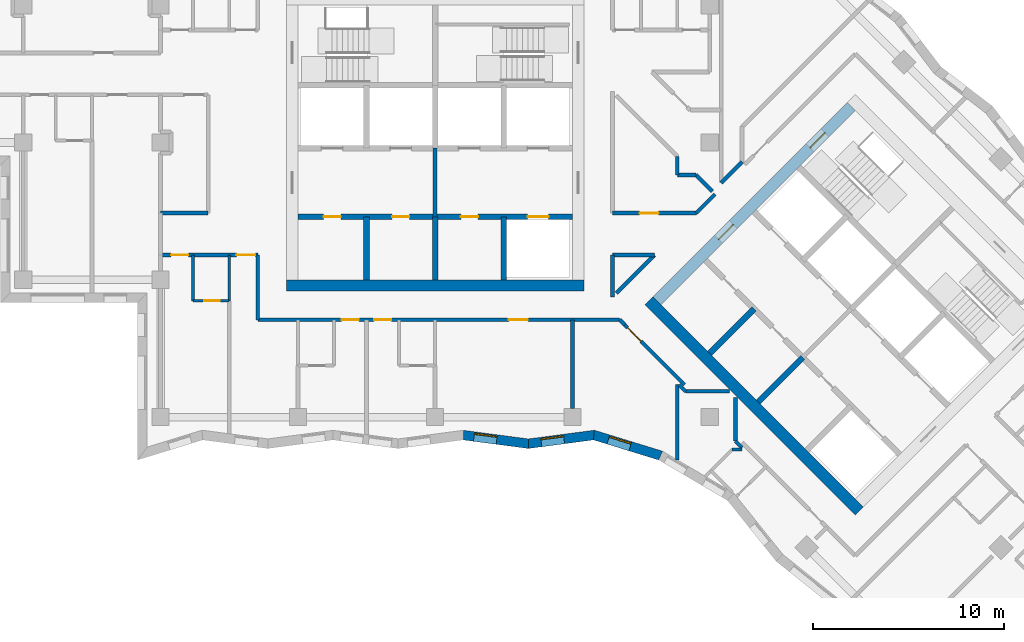
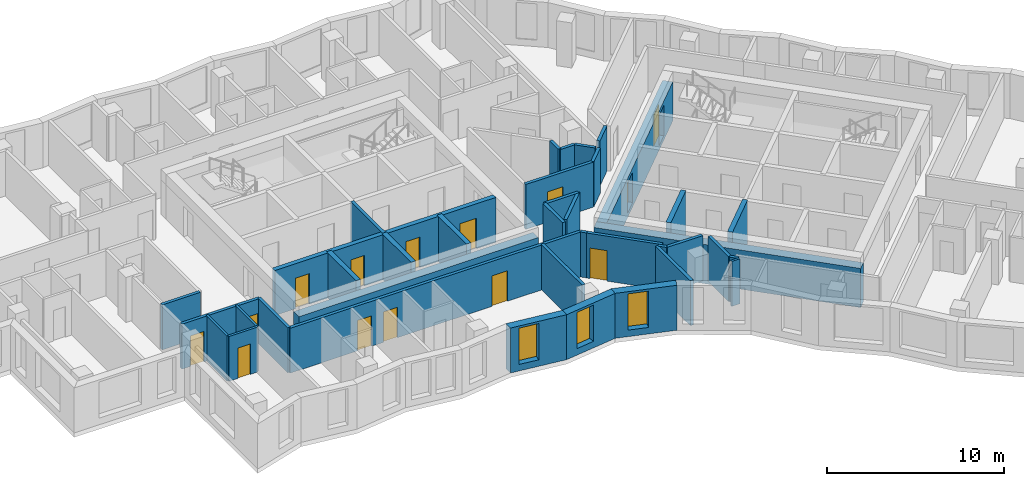
# One storey, part 3 of 12: 38 walls, 14 doors, 3 windows, 17 openings.
"""IFC4 building model written with IfcOpenShell, lengths in metres."""

from ifc_helpers import new_model, si_unit, direction, frame, frame_2d, origin, place, context, subcontext, project, spatial, polyline, rectangle, outline, extrude, material, layer, layer_set, type_object, element, fill, save


model = new_model("IFC4")

# Units and contexts
model_context = context("Model", 3, precision=1e-05, world=origin(), true_north=direction((0.0, 1.0)))
body_context = subcontext(model_context, "Body", "Model", "MODEL_VIEW")
ifc_project = project(units=[si_unit("LENGTHUNIT", "METRE"), si_unit("AREAUNIT", "SQUARE_METRE"), si_unit("VOLUMEUNIT", "CUBIC_METRE"), si_unit("PLANEANGLEUNIT", "RADIAN"), si_unit("MASSUNIT", "GRAM", prefix="KILO")], contexts=[model_context])

# Site, building, storey
site_placement = place(None, origin())
site = spatial("IfcSite", under=ifc_project, at=site_placement, CompositionType="ELEMENT")
building_placement = place(site_placement, origin())
building = spatial("IfcBuilding", under=site, at=building_placement, Name="Windrow Commons", CompositionType="ELEMENT")
storey_placement = place(building_placement, frame((0.0, 0.0, 152.4)))
storey = spatial("IfcBuildingStorey", under=building, at=storey_placement, Name="L41", CompositionType="ELEMENT", Elevation=152.4)

# Wall, opening, window
ifc_material_1 = material(Name="Brick masonry, red clay brick", Category="masonry")
ifc_layer_1 = layer(ifc_material_1, 0.5)
ifc_layer_set_1 = layer_set([ifc_layer_1], Name="Brick facade wall 500")
wall_type_1 = type_object("IfcWallType", Name="Brick facade wall 500", PredefinedType="SOLIDWALL", material=ifc_layer_set_1)
wall_1_placement = place(storey_placement, frame((66.2754, 42.2522, 0.0), z_axis=(0.0, 0.0, 1.0), x_axis=(0.9913919321, -0.1309276022, 0.0)))
wall_1 = element("IfcWall", 1, at=wall_1_placement, inside=storey, type_object=wall_type_1, Name="Brick facade wall L41 47", PredefinedType="SOLIDWALL", context=body_context, shape_type="SweptSolid", body=[
    extrude(outline(polyline([(0.033, -0.25), (3.4777, -0.25), (3.4117, 0.25), (-0.033, 0.25), (0.033, -0.25)])), origin(), (0.0, 0.0, 1.0), 3.1),
])
opening_1_placement = place(wall_1_placement, frame((0.5715, 0.0, 0.45)))
opening_1 = element("IfcOpeningElement", 2, at=opening_1_placement, cuts=wall_1, Name="Opening W7E", PredefinedType="OPENING", context=body_context, shape_type="SweptSolid", body=[
    extrude(rectangle(XDim=1.2, YDim=2.5, at=frame_2d((0.6, 1.25))), frame((0.0, 0.26, 0.0), z_axis=(0.0, -1.0, 0.0), x_axis=(1.0, 0.0, 0.0)), (0.0, 0.0, 1.0), 0.52),
])
ifc_material_2 = material(Name="Clear float glass in anodised aluminium frame", Category="aluminium")
window_type = type_object("IfcWindowType", Name="Window W7 notch 1200x2500", PartitioningType="SINGLE_PANEL", PredefinedType="WINDOW", material=ifc_material_2)
window_1_placement = place(opening_1_placement, origin())
window_1 = element("IfcWindow", 3, at=window_1_placement, inside=storey, type_object=window_type, Name="Window L41 47.1", OverallHeight=2.5, OverallWidth=1.2, PartitioningType="SINGLE_PANEL", PredefinedType="WINDOW", context=body_context, shape_type="SweptSolid", body=[
    extrude(rectangle(XDim=1.2, YDim=2.5, at=frame_2d((0.6, 1.25))), frame((0.0, 0.18, 0.0), z_axis=(0.0, -1.0, 0.0), x_axis=(1.0, 0.0, 0.0)), (0.0, 0.0, 1.0), 0.06),
])
fill(opening_1, window_1)

wall_2_placement = place(storey_placement, frame((69.6904, 41.8012, 0.0), z_axis=(0.0, 0.0, 1.0), x_axis=(0.9913934068, 0.1309164348, 0.0)))
wall_2 = element("IfcWall", 4, at=wall_2_placement, inside=storey, type_object=wall_type_1, Name="Brick facade wall L41 48", PredefinedType="SOLIDWALL", context=body_context, shape_type="SweptSolid", body=[
    extrude(outline(polyline([(-0.033, -0.25), (3.4117, -0.25), (3.5209, 0.25), (0.033, 0.25), (-0.033, -0.25)])), origin(), (0.0, 0.0, 1.0), 3.1),
])
opening_2_placement = place(wall_2_placement, frame((0.6813, 0.0, 0.45)))
opening_2 = element("IfcOpeningElement", 5, at=opening_2_placement, cuts=wall_2, Name="Opening W7E", PredefinedType="OPENING", context=body_context, shape_type="SweptSolid", body=[
    extrude(rectangle(XDim=1.2, YDim=2.5, at=frame_2d((0.6, 1.25))), frame((0.0, 0.26, 0.0), z_axis=(0.0, -1.0, 0.0), x_axis=(1.0, 0.0, 0.0)), (0.0, 0.0, 1.0), 0.52),
])
window_2_placement = place(opening_2_placement, origin())
window_2 = element("IfcWindow", 6, at=window_2_placement, inside=storey, type_object=window_type, Name="Window L41 48.1", OverallHeight=2.5, OverallWidth=1.2, PartitioningType="SINGLE_PANEL", PredefinedType="WINDOW", context=body_context, shape_type="SweptSolid", body=[
    extrude(rectangle(XDim=1.2, YDim=2.5, at=frame_2d((0.6, 1.25))), frame((0.0, 0.18, 0.0), z_axis=(0.0, -1.0, 0.0), x_axis=(1.0, 0.0, 0.0)), (0.0, 0.0, 1.0), 0.06),
])
fill(opening_2, window_2)

wall_3_placement = place(storey_placement, frame((73.1269, 42.255, 0.0), z_axis=(0.0, 0.0, 1.0), x_axis=(0.9557594957, -0.2941492588, 0.0)))
wall_3 = element("IfcWall", 7, at=wall_3_placement, inside=storey, type_object=wall_type_1, Name="Brick facade wall L41 49", PredefinedType="SOLIDWALL", context=body_context, shape_type="SweptSolid", body=[
    extrude(outline(polyline([(0.0546, -0.25), (3.6277, -0.25), (3.6863, 0.25), (-0.0546, 0.25), (0.0546, -0.25)])), origin(), (0.0, 0.0, 1.0), 3.1),
])
opening_3_placement = place(wall_3_placement, frame((0.7938, 0.0, 0.45)))
opening_3 = element("IfcOpeningElement", 8, at=opening_3_placement, cuts=wall_3, Name="Opening W7E", PredefinedType="OPENING", context=body_context, shape_type="SweptSolid", body=[
    extrude(rectangle(XDim=1.2, YDim=2.5, at=frame_2d((0.6, 1.25))), frame((0.0, 0.26, 0.0), z_axis=(0.0, -1.0, 0.0), x_axis=(1.0, 0.0, 0.0)), (0.0, 0.0, 1.0), 0.52),
])
window_3_placement = place(opening_3_placement, origin())
window_3 = element("IfcWindow", 9, at=window_3_placement, inside=storey, type_object=window_type, Name="Window L41 49.1", OverallHeight=2.5, OverallWidth=1.2, PartitioningType="SINGLE_PANEL", PredefinedType="WINDOW", context=body_context, shape_type="SweptSolid", body=[
    extrude(rectangle(XDim=1.2, YDim=2.5, at=frame_2d((0.6, 1.25))), frame((0.0, 0.18, 0.0), z_axis=(0.0, -1.0, 0.0), x_axis=(1.0, 0.0, 0.0)), (0.0, 0.0, 1.0), 0.06),
])
fill(opening_3, window_3)

# Wall
ifc_material_3 = material(Name="Blockwork partition", Category="masonry")
ifc_layer_2 = layer(ifc_material_3, 0.2)
ifc_layer_set_2 = layer_set([ifc_layer_2], Name="Fire lobby partition 200")
wall_type_2 = type_object("IfcWallType", Name="Fire lobby partition 200", PredefinedType="PARTITIONING", material=ifc_layer_set_2)
wall_4_placement = place(storey_placement, frame((64.8, 53.7, 0.0), z_axis=(0.0, 0.0, 1.0), x_axis=(0.0, 1.0, 0.0)))
element("IfcWall", 10, at=wall_4_placement, inside=storey, type_object=wall_type_2, Name="W-core-lobby-A-L41", PredefinedType="PARTITIONING", context=body_context, shape_type="SweptSolid", body=[
    extrude(rectangle(XDim=3.6, YDim=0.2, at=frame_2d((1.8, 0.0))), origin(), (0.0, 0.0, 1.0), 3.1),
])

# Wall, openings, doors
ifc_material_4 = material(Name="Blockwork partition", Category="masonry")
ifc_layer_3 = layer(ifc_material_4, 0.2)
ifc_layer_set_3 = layer_set([ifc_layer_3], Name="IW-CORRIDOR-200")
wall_type_3 = type_object("IfcWallType", Name="IW-CORRIDOR-200", PredefinedType="PARTITIONING", material=ifc_layer_set_3)
wall_5_placement = place(storey_placement, frame((55.5, 48.3, 0.0), z_axis=(0.0, 0.0, 1.0), x_axis=(1.0, 0.0, 0.0)))
wall_5 = element("IfcWall", 11, at=wall_5_placement, inside=storey, type_object=wall_type_3, Name="W-L41-W001", PredefinedType="PARTITIONING", context=body_context, shape_type="SweptSolid", body=[
    extrude(rectangle(XDim=18.974, YDim=0.2, at=frame_2d((9.487, 0.0))), origin(), (0.0, 0.0, 1.0), 3.1),
])
opening_4_placement = place(wall_5_placement, frame((4.4, 0.0, 0.0)))
opening_4 = element("IfcOpeningElement", 12, at=opening_4_placement, cuts=wall_5, Name="Opening D109S", PredefinedType="OPENING", context=body_context, shape_type="SweptSolid", body=[
    extrude(rectangle(XDim=0.9, YDim=2.1, at=frame_2d((0.45, 1.05))), frame((0.0, 0.11, 0.0), z_axis=(0.0, -1.0, 0.0), x_axis=(1.0, 0.0, 0.0)), (0.0, 0.0, 1.0), 0.22),
])
opening_5_placement = place(wall_5_placement, frame((6.1, 0.0, 0.0)))
opening_5 = element("IfcOpeningElement", 13, at=opening_5_placement, cuts=wall_5, Name="Opening D109S", PredefinedType="OPENING", context=body_context, shape_type="SweptSolid", body=[
    extrude(rectangle(XDim=0.9, YDim=2.1, at=frame_2d((0.45, 1.05))), frame((0.0, 0.11, 0.0), z_axis=(0.0, -1.0, 0.0), x_axis=(1.0, 0.0, 0.0)), (0.0, 0.0, 1.0), 0.22),
])
opening_6_placement = place(wall_5_placement, frame((13.1625, 0.0, 0.0)))
opening_6 = element("IfcOpeningElement", 14, at=opening_6_placement, cuts=wall_5, Name="Opening D310F", PredefinedType="OPENING", context=body_context, shape_type="SweptSolid", body=[
    extrude(rectangle(XDim=1.0, YDim=2.1, at=frame_2d((0.5, 1.05))), frame((0.0, 0.11, 0.0), z_axis=(0.0, -1.0, 0.0), x_axis=(1.0, 0.0, 0.0)), (0.0, 0.0, 1.0), 0.22),
])
ifc_material_5 = material(Name="Timber door leaf", Category="wood")
door_type_1 = type_object("IfcDoorType", Name="DT-AMENITY-1000", OperationType="SINGLE_SWING_LEFT", PredefinedType="DOOR", material=ifc_material_5)
door_1_placement = place(opening_6_placement, origin())
door_1 = element("IfcDoor", 15, at=door_1_placement, inside=storey, type_object=door_type_1, Name="D-L41-D037", OperationType="SINGLE_SWING_LEFT", OverallHeight=2.1, OverallWidth=1.0, PredefinedType="DOOR", context=body_context, shape_type="SweptSolid", body=[
    extrude(rectangle(XDim=1.0, YDim=2.1, at=frame_2d((0.5, 1.05))), frame((0.0, 0.025, 0.0), z_axis=(0.0, -1.0, 0.0), x_axis=(1.0, 0.0, 0.0)), (0.0, 0.0, 1.0), 0.05),
])
fill(opening_6, door_1)
ifc_material_6 = material(Name="Timber door leaf", Category="wood")
door_type_2 = type_object("IfcDoorType", Name="DT-BEDROOM-900", OperationType="SINGLE_SWING_LEFT", PredefinedType="DOOR", material=ifc_material_6)
door_2_placement = place(opening_4_placement, origin())
door_2 = element("IfcDoor", 16, at=door_2_placement, inside=storey, type_object=door_type_2, Name="D-L41-D033", OperationType="SINGLE_SWING_LEFT", OverallHeight=2.1, OverallWidth=0.9, PredefinedType="DOOR", context=body_context, shape_type="SweptSolid", body=[
    extrude(rectangle(XDim=0.9, YDim=2.1, at=frame_2d((0.45, 1.05))), frame((0.0, 0.025, 0.0), z_axis=(0.0, -1.0, 0.0), x_axis=(1.0, 0.0, 0.0)), (0.0, 0.0, 1.0), 0.05),
])
fill(opening_4, door_2)
door_3_placement = place(opening_5_placement, origin())
door_3 = element("IfcDoor", 17, at=door_3_placement, inside=storey, type_object=door_type_2, Name="D-L41-D035", OperationType="SINGLE_SWING_RIGHT", OverallHeight=2.1, OverallWidth=0.9, PredefinedType="DOOR", context=body_context, shape_type="SweptSolid", body=[
    extrude(rectangle(XDim=0.9, YDim=2.1, at=frame_2d((0.45, 1.05))), frame((0.0, 0.025, 0.0), z_axis=(0.0, -1.0, 0.0), x_axis=(1.0, 0.0, 0.0)), (0.0, 0.0, 1.0), 0.05),
])
fill(opening_5, door_3)

wall_6_placement = place(storey_placement, frame((50.4, 51.7, 0.0), z_axis=(0.0, 0.0, 1.0), x_axis=(1.0, 0.0, 0.0)))
wall_6 = element("IfcWall", 18, at=wall_6_placement, inside=storey, type_object=wall_type_3, Name="W-L41-W036", PredefinedType="PARTITIONING", context=body_context, shape_type="SweptSolid", body=[
    extrude(rectangle(XDim=5.1, YDim=0.2, at=frame_2d((2.55, 0.0))), origin(), (0.0, 0.0, 1.0), 3.1),
])
opening_7_placement = place(wall_6_placement, frame((0.5517, 0.0, 0.0)))
opening_7 = element("IfcOpeningElement", 19, at=opening_7_placement, cuts=wall_6, Name="Opening D109S", PredefinedType="OPENING", context=body_context, shape_type="SweptSolid", body=[
    extrude(rectangle(XDim=0.9, YDim=2.1, at=frame_2d((0.45, 1.05))), frame((0.0, 0.11, 0.0), z_axis=(0.0, -1.0, 0.0), x_axis=(1.0, 0.0, 0.0)), (0.0, 0.0, 1.0), 0.22),
])
opening_8_placement = place(wall_6_placement, frame((3.976, 0.0, 0.0)))
opening_8 = element("IfcOpeningElement", 20, at=opening_8_placement, cuts=wall_6, Name="Opening D310F", PredefinedType="OPENING", context=body_context, shape_type="SweptSolid", body=[
    extrude(rectangle(XDim=1.0, YDim=2.1, at=frame_2d((0.5, 1.05))), frame((0.0, 0.11, 0.0), z_axis=(0.0, -1.0, 0.0), x_axis=(1.0, 0.0, 0.0)), (0.0, 0.0, 1.0), 0.22),
])
door_4_placement = place(opening_8_placement, origin())
door_4 = element("IfcDoor", 21, at=door_4_placement, inside=storey, type_object=door_type_1, Name="D-L41-D032", OperationType="SINGLE_SWING_RIGHT", OverallHeight=2.1, OverallWidth=1.0, PredefinedType="DOOR", context=body_context, shape_type="SweptSolid", body=[
    extrude(rectangle(XDim=1.0, YDim=2.1, at=frame_2d((0.5, 1.05))), frame((0.0, 0.025, 0.0), z_axis=(0.0, -1.0, 0.0), x_axis=(1.0, 0.0, 0.0)), (0.0, 0.0, 1.0), 0.05),
])
fill(opening_8, door_4)
door_5_placement = place(opening_7_placement, origin())
door_5 = element("IfcDoor", 22, at=door_5_placement, inside=storey, type_object=door_type_2, Name="D-L41-D030", OperationType="SINGLE_SWING_LEFT", OverallHeight=2.1, OverallWidth=0.9, PredefinedType="DOOR", context=body_context, shape_type="SweptSolid", body=[
    extrude(rectangle(XDim=0.9, YDim=2.1, at=frame_2d((0.45, 1.05))), frame((0.0, 0.025, 0.0), z_axis=(0.0, -1.0, 0.0), x_axis=(1.0, 0.0, 0.0)), (0.0, 0.0, 1.0), 0.05),
])
fill(opening_7, door_5)

# Wall, opening, door
wall_7_placement = place(storey_placement, frame((74.7447, 48.0287, 0.0), z_axis=(0.0, 0.0, 1.0), x_axis=(0.7068806156, -0.7073328745, 0.0)))
wall_7 = element("IfcWall", 23, at=wall_7_placement, inside=storey, type_object=wall_type_3, Name="W-L41-W042", PredefinedType="PARTITIONING", context=body_context, shape_type="SweptSolid", body=[
    extrude(rectangle(XDim=4.4222, YDim=0.2, at=frame_2d((2.2111, 0.0))), origin(), (0.0, 0.0, 1.0), 3.1),
])
opening_9_placement = place(wall_7_placement, frame((0.1993, 0.0, 0.0)))
opening_9 = element("IfcOpeningElement", 24, at=opening_9_placement, cuts=wall_7, Name="Opening D310F", PredefinedType="OPENING", context=body_context, shape_type="SweptSolid", body=[
    extrude(rectangle(XDim=1.0, YDim=2.1, at=frame_2d((0.5, 1.05))), frame((0.0, 0.11, 0.0), z_axis=(0.0, -1.0, 0.0), x_axis=(1.0, 0.0, 0.0)), (0.0, 0.0, 1.0), 0.22),
])
door_6_placement = place(opening_9_placement, origin())
door_6 = element("IfcDoor", 25, at=door_6_placement, inside=storey, type_object=door_type_1, Name="D-L41-D038", OperationType="SINGLE_SWING_LEFT", OverallHeight=2.1, OverallWidth=1.0, PredefinedType="DOOR", context=body_context, shape_type="SweptSolid", body=[
    extrude(rectangle(XDim=1.0, YDim=2.1, at=frame_2d((0.5, 1.05))), frame((0.0, 0.025, 0.0), z_axis=(0.0, -1.0, 0.0), x_axis=(1.0, 0.0, 0.0)), (0.0, 0.0, 1.0), 0.05),
])
fill(opening_9, door_6)

wall_8_placement = place(storey_placement, frame((74.102, 53.9, 0.0), z_axis=(0.0, 0.0, 1.0), x_axis=(1.0, 0.0, 0.0)))
wall_8 = element("IfcWall", 26, at=wall_8_placement, inside=storey, type_object=wall_type_3, Name="W-L41-W043", PredefinedType="PARTITIONING", context=body_context, shape_type="SweptSolid", body=[
    extrude(rectangle(XDim=4.392, YDim=0.2, at=frame_2d((2.196, 0.0))), origin(), (0.0, 0.0, 1.0), 3.1),
])
opening_10_placement = place(wall_8_placement, frame((1.4153, 0.0, 0.0)))
opening_10 = element("IfcOpeningElement", 27, at=opening_10_placement, cuts=wall_8, Name="Opening D310F", PredefinedType="OPENING", context=body_context, shape_type="SweptSolid", body=[
    extrude(rectangle(XDim=1.0, YDim=2.1, at=frame_2d((0.5, 1.05))), frame((0.0, 0.11, 0.0), z_axis=(0.0, -1.0, 0.0), x_axis=(1.0, 0.0, 0.0)), (0.0, 0.0, 1.0), 0.22),
])
door_7_placement = place(opening_10_placement, origin())
door_7 = element("IfcDoor", 28, at=door_7_placement, inside=storey, type_object=door_type_1, Name="D-L41-D000", OperationType="SINGLE_SWING_LEFT", OverallHeight=2.1, OverallWidth=1.0, PredefinedType="DOOR", context=body_context, shape_type="SweptSolid", body=[
    extrude(rectangle(XDim=1.0, YDim=2.1, at=frame_2d((0.5, 1.05))), frame((0.0, 0.025, 0.0), z_axis=(0.0, -1.0, 0.0), x_axis=(1.0, 0.0, 0.0)), (0.0, 0.0, 1.0), 0.05),
])
fill(opening_10, door_7)

# Walls
wall_9_placement = place(storey_placement, frame((55.5, 48.3, 0.0), z_axis=(0.0, 0.0, 1.0), x_axis=(0.0, 1.0, 0.0)))
element("IfcWall", 29, at=wall_9_placement, inside=storey, type_object=wall_type_3, Name="W-L41-W049", PredefinedType="PARTITIONING", context=body_context, shape_type="SweptSolid", body=[
    extrude(rectangle(XDim=3.4, YDim=0.2, at=frame_2d((1.7, 0.0))), origin(), (0.0, 0.0, 1.0), 3.1),
])
wall_10_placement = place(storey_placement, frame((74.3024, 49.7036, 0.0), z_axis=(0.0, 0.0, 1.0), x_axis=(0.7074614873, 0.706751897, 0.0)))
element("IfcWall", 30, at=wall_10_placement, inside=storey, type_object=wall_type_3, Name="W-L41-W060", PredefinedType="PARTITIONING", context=body_context, shape_type="SweptSolid", body=[
    extrude(rectangle(XDim=2.8185, YDim=0.2, at=frame_2d((1.4092, 0.0))), origin(), (0.0, 0.0, 1.0), 3.1),
])
wall_11_placement = place(storey_placement, frame((50.4, 53.9, 0.0), z_axis=(0.0, 0.0, 1.0), x_axis=(1.0, 0.0, 0.0)))
element("IfcWall", 31, at=wall_11_placement, inside=storey, type_object=wall_type_3, Name="W-L41-W063", PredefinedType="PARTITIONING", context=body_context, shape_type="SweptSolid", body=[
    extrude(rectangle(XDim=2.5, YDim=0.2, at=frame_2d((1.25, 0.0))), origin(), (0.0, 0.0, 1.0), 3.1),
])
for number, where, z_axis, x_axis, name in (
    (32, (77.942, 44.55, 0.0), (0.0, 0.0, 1.0), (1.0, 0.0, 0.0), "W-L41-W099"),
    (33, (80.55, 41.942, 0.0), (0.0, 0.0, 1.0), (0.0, 1.0, 0.0), "W-L41-W100"),
):
    element("IfcWall", number, at=place(storey_placement, frame(where, z_axis=z_axis, x_axis=x_axis)), inside=storey, type_object=wall_type_3, Name=name, PredefinedType="PARTITIONING", context=body_context, shape_type="SweptSolid", body=[
        extrude(rectangle(XDim=2.29, YDim=0.2, at=frame_2d((1.145, 0.0))), origin(), (0.0, 0.0, 1.0), 3.1),
    ])
wall_12_placement = place(storey_placement, frame((74.1, 49.508, 0.0), z_axis=(0.0, 0.0, 1.0), x_axis=(0.0, 1.0, 0.0)))
element("IfcWall", 34, at=wall_12_placement, inside=storey, type_object=wall_type_3, Name="W-L41-W111", PredefinedType="PARTITIONING", context=body_context, shape_type="SweptSolid", body=[
    extrude(rectangle(XDim=2.192, YDim=0.2, at=frame_2d((1.096, 0.0))), origin(), (0.0, 0.0, 1.0), 3.1),
])
wall_13_placement = place(storey_placement, frame((74.102, 51.7, 0.0), z_axis=(0.0, 0.0, 1.0), x_axis=(1.0, 0.0, 0.0)))
element("IfcWall", 35, at=wall_13_placement, inside=storey, type_object=wall_type_3, Name="W-L41-W112", PredefinedType="PARTITIONING", context=body_context, shape_type="SweptSolid", body=[
    extrude(rectangle(XDim=2.19, YDim=0.2, at=frame_2d((1.095, 0.0))), origin(), (0.0, 0.0, 1.0), 3.1),
])
wall_14_placement = place(storey_placement, frame((79.8012, 55.4908, 0.0), z_axis=(0.0, 0.0, 1.0), x_axis=(0.7071067812, 0.7071067812, 0.0)))
element("IfcWall", 36, at=wall_14_placement, inside=storey, type_object=wall_type_3, Name="W-L41-W145", PredefinedType="PARTITIONING", context=body_context, shape_type="SweptSolid", body=[
    extrude(rectangle(XDim=1.5528, YDim=0.2, at=frame_2d((0.7764, 0.0))), origin(), (0.0, 0.0, 1.0), 3.1),
])
wall_15_placement = place(storey_placement, frame((78.4936, 53.9004, 0.0), z_axis=(0.0, 0.0, 1.0), x_axis=(0.7071067812, 0.7071067812, 0.0)))
element("IfcWall", 37, at=wall_15_placement, inside=storey, type_object=wall_type_3, Name="W-L41-W147", PredefinedType="PARTITIONING", context=body_context, shape_type="SweptSolid", body=[
    extrude(rectangle(XDim=1.3972, YDim=0.2, at=frame_2d((0.6986, 0.0))), origin(), (0.0, 0.0, 1.0), 3.1),
])
wall_16_placement = place(storey_placement, frame((78.4753, 55.9033, 0.0), z_axis=(0.0, 0.0, 1.0), x_axis=(0.7071067812, -0.7071067812, 0.0)))
element("IfcWall", 38, at=wall_16_placement, inside=storey, type_object=wall_type_3, Name="W-L41-W149", PredefinedType="PARTITIONING", context=body_context, shape_type="SweptSolid", body=[
    extrude(rectangle(XDim=1.2304, YDim=0.2, at=frame_2d((0.6152, 0.0))), origin(), (0.0, 0.0, 1.0), 3.1),
])
wall_17_placement = place(storey_placement, frame((77.5, 55.9, 0.0), z_axis=(0.0, 0.0, 1.0), x_axis=(0.0, 1.0, 0.0)))
element("IfcWall", 39, at=wall_17_placement, inside=storey, type_object=wall_type_3, Name="W-L41-W155", PredefinedType="PARTITIONING", context=body_context, shape_type="SweptSolid", body=[
    extrude(rectangle(XDim=0.97, YDim=0.2, at=frame_2d((0.485, 0.0))), origin(), (0.0, 0.0, 1.0), 3.1),
])
wall_18_placement = place(storey_placement, frame((77.502, 55.9, 0.0), z_axis=(0.0, 0.0, 1.0), x_axis=(1.0, 0.0, 0.0)))
element("IfcWall", 40, at=wall_18_placement, inside=storey, type_object=wall_type_3, Name="W-L41-W156", PredefinedType="PARTITIONING", context=body_context, shape_type="SweptSolid", body=[
    extrude(rectangle(XDim=0.968, YDim=0.2, at=frame_2d((0.484, 0.0))), origin(), (0.0, 0.0, 1.0), 3.1),
])
for number, where, z_axis, x_axis, name in (
    (41, (77.5885, 44.8965, 0.0), (0.0, 0.0, 1.0), (0.7071067812, -0.7071067812, 0.0), "W-L41-W172"),
    (42, (80.5465, 41.9385, 0.0), (0.0, 0.0, 1.0), (0.7071067812, -0.7071067812, 0.0), "W-L41-W173"),
):
    element("IfcWall", number, at=place(storey_placement, frame(where, z_axis=z_axis, x_axis=x_axis)), inside=storey, type_object=wall_type_3, Name=name, PredefinedType="PARTITIONING", context=body_context, shape_type="SweptSolid", body=[
        extrude(rectangle(XDim=0.495, YDim=0.2, at=frame_2d((0.2475, 0.0))), origin(), (0.0, 0.0, 1.0), 3.1),
    ])
wall_19_placement = place(storey_placement, frame((74.4772, 48.3032, 0.0), z_axis=(0.0, 0.0, 1.0), x_axis=(0.7097111995, -0.7044927348, 0.0)))
element("IfcWall", 43, at=wall_19_placement, inside=storey, type_object=wall_type_3, Name="W-L41-W174", PredefinedType="PARTITIONING", context=body_context, shape_type="SweptSolid", body=[
    extrude(rectangle(XDim=0.3833, YDim=0.2, at=frame_2d((0.1916, 0.0))), origin(), (0.0, 0.0, 1.0), 3.1),
])
ifc_material_7 = material(Name="Blockwork partition", Category="masonry")
ifc_layer_4 = layer(ifc_material_7, 0.15)
ifc_layer_set_4 = layer_set([ifc_layer_4], Name="IW-ENSUITE-150")
wall_type_4 = type_object("IfcWallType", Name="IW-ENSUITE-150", PredefinedType="PARTITIONING", material=ifc_layer_set_4)
for number, where, z_axis, x_axis, name in (
    (44, (52.1, 49.3, 0.0), (0.0, 0.0, 1.0), (0.0, 1.0, 0.0), "W-L41-W076"),
    (45, (54.0, 49.3, 0.0), (0.0, 0.0, 1.0), (0.0, 1.0, 0.0), "W-L41-W078"),
):
    element("IfcWall", number, at=place(storey_placement, frame(where, z_axis=z_axis, x_axis=x_axis)), inside=storey, type_object=wall_type_4, Name=name, PredefinedType="PARTITIONING", context=body_context, shape_type="SweptSolid", body=[
        extrude(rectangle(XDim=2.4, YDim=0.15, at=frame_2d((1.2, 0.0))), origin(), (0.0, 0.0, 1.0), 3.1),
    ])

# Wall, opening, door
wall_20_placement = place(storey_placement, frame((52.1, 49.3, 0.0), z_axis=(0.0, 0.0, 1.0), x_axis=(1.0, 0.0, 0.0)))
wall_20 = element("IfcWall", 46, at=wall_20_placement, inside=storey, type_object=wall_type_4, Name="W-L41-W128", PredefinedType="PARTITIONING", context=body_context, shape_type="SweptSolid", body=[
    extrude(rectangle(XDim=1.9, YDim=0.15, at=frame_2d((0.95, 0.0))), origin(), (0.0, 0.0, 1.0), 3.1),
])
opening_11_placement = place(wall_20_placement, frame((0.5979, 0.0, 0.0)))
opening_11 = element("IfcOpeningElement", 47, at=opening_11_placement, cuts=wall_20, Name="Opening D208N", PredefinedType="OPENING", context=body_context, shape_type="SweptSolid", body=[
    extrude(rectangle(XDim=0.8, YDim=2.1, at=frame_2d((0.4, 1.05))), frame((0.0, 0.085, 0.0), z_axis=(0.0, -1.0, 0.0), x_axis=(1.0, 0.0, 0.0)), (0.0, 0.0, 1.0), 0.17),
])
ifc_material_8 = material(Name="Timber door leaf", Category="wood")
door_type_3 = type_object("IfcDoorType", Name="DT-ENSUITE-800", OperationType="SINGLE_SWING_LEFT", PredefinedType="DOOR", material=ifc_material_8)
door_8_placement = place(opening_11_placement, origin())
door_8 = element("IfcDoor", 48, at=door_8_placement, inside=storey, type_object=door_type_3, Name="D-L41-D031", OperationType="SINGLE_SWING_RIGHT", OverallHeight=2.1, OverallWidth=0.8, PredefinedType="DOOR", context=body_context, shape_type="SweptSolid", body=[
    extrude(rectangle(XDim=0.8, YDim=2.1, at=frame_2d((0.4, 1.05))), frame((0.0, 0.025, 0.0), z_axis=(0.0, -1.0, 0.0), x_axis=(1.0, 0.0, 0.0)), (0.0, 0.0, 1.0), 0.05),
])
fill(opening_11, door_8)

# Walls
wall_21_placement = place(storey_placement, frame((80.378, 41.5, 0.0), z_axis=(0.0, 0.0, 1.0), x_axis=(1.0, 0.0, 0.0)))
element("IfcWall", 49, at=wall_21_placement, inside=storey, type_object=wall_type_4, Name="W-L41-W171", PredefinedType="PARTITIONING", context=body_context, shape_type="SweptSolid", body=[
    extrude(rectangle(XDim=0.522, YDim=0.15, at=frame_2d((0.261, 0.0))), origin(), (0.0, 0.0, 1.0), 3.1),
])
ifc_material_9 = material(Name="Blockwork partition", Category="masonry")
ifc_layer_5 = layer(ifc_material_9, 0.2)
ifc_layer_set_5 = layer_set([ifc_layer_5], Name="IW-PARTY-200")
wall_type_5 = type_object("IfcWallType", Name="IW-PARTY-200", PredefinedType="PARTITIONING", material=ifc_layer_set_5)
wall_22_placement = place(storey_placement, frame((72.0, 43.65, 0.0), z_axis=(0.0, 0.0, 1.0), x_axis=(0.0, 1.0, 0.0)))
element("IfcWall", 50, at=wall_22_placement, inside=storey, type_object=wall_type_5, Name="W-L41-W041", PredefinedType="PARTITIONING", context=body_context, shape_type="SweptSolid", body=[
    extrude(rectangle(XDim=4.65, YDim=0.2, at=frame_2d((2.325, 0.0))), origin(), (0.0, 0.0, 1.0), 3.1),
])
wall_23_placement = place(storey_placement, frame((77.5, 40.9528, 0.0), z_axis=(0.0, 0.0, 1.0), x_axis=(0.0, 1.0, 0.0)))
element("IfcWall", 51, at=wall_23_placement, inside=storey, type_object=wall_type_5, Name="W-L41-W044", PredefinedType="PARTITIONING", context=body_context, shape_type="SweptSolid", body=[
    extrude(rectangle(XDim=3.9472, YDim=0.2, at=frame_2d((1.9736, 0.0))), origin(), (0.0, 0.0, 1.0), 3.1),
])
ifc_material_10 = material(Name="Concrete C50/60", Category="concrete")
ifc_layer_6 = layer(ifc_material_10, 0.6)
ifc_layer_set_6 = layer_set([ifc_layer_6], Name="RC CORE WALL 600 C50/60")
wall_type_6 = type_object("IfcWallType", Name="RC CORE WALL 600 C50/60", PredefinedType="SHEAR", material=ifc_layer_set_6)
for number, where, z_axis, x_axis, name in (
    (52, (57.0, 50.1, -0.3), (0.0, 0.0, 1.0), (1.0, 0.0, 0.0), "Core A wall outer-S"),
    (53, (76.018, 49.3019, -0.3), (0.0, 0.0, 1.0), (0.7071067812, -0.7071067812, 0.0), "Core B wall outer-S"),
):
    element("IfcWall", number, at=place(storey_placement, frame(where, z_axis=z_axis, x_axis=x_axis)), inside=storey, type_object=wall_type_6, Name=name, PredefinedType="SHEAR", context=body_context, shape_type="SweptSolid", body=[
        extrude(rectangle(XDim=15.6, YDim=0.6, at=frame_2d((7.8, 0.0))), origin(), (0.0, 0.0, 1.0), 2.7),
    ])

# Wall, openings, doors
wall_24_placement = place(storey_placement, frame((76.4423, 49.3019, -0.3), z_axis=(0.0, 0.0, 1.0), x_axis=(0.7071067812, 0.7071067812, 0.0)))
wall_24 = element("IfcWall", 54, at=wall_24_placement, inside=storey, type_object=wall_type_6, Name="Core B wall outer-W", PredefinedType="SHEAR", context=body_context, shape_type="SweptSolid", body=[
    extrude(rectangle(XDim=14.3999, YDim=0.6, at=frame_2d((7.2, 0.0))), origin(), (0.0, 0.0, 1.0), 2.7),
])
opening_12_placement = place(wall_24_placement, frame((4.55, 0.0, 0.3)))
opening_12 = element("IfcOpeningElement", 55, at=opening_12_placement, cuts=wall_24, Name="Opening D6", PredefinedType="OPENING", context=body_context, shape_type="SweptSolid", body=[
    extrude(rectangle(XDim=1.1, YDim=2.1, at=frame_2d((0.55, 1.05))), frame((0.0, 0.31, 0.0), z_axis=(0.0, -1.0, 0.0), x_axis=(1.0, 0.0, 0.0)), (0.0, 0.0, 1.0), 0.62),
])
opening_13_placement = place(wall_24_placement, frame((11.35, 0.0, 0.3)))
opening_13 = element("IfcOpeningElement", 56, at=opening_13_placement, cuts=wall_24, Name="Opening D7", PredefinedType="OPENING", context=body_context, shape_type="SweptSolid", body=[
    extrude(rectangle(XDim=1.1, YDim=2.1, at=frame_2d((0.55, 1.05))), frame((0.0, 0.31, 0.0), z_axis=(0.0, -1.0, 0.0), x_axis=(1.0, 0.0, 0.0)), (0.0, 0.0, 1.0), 0.62),
])
ifc_material_11 = material(Name="Steel fire door leaf", Category="steel")
door_type_4 = type_object("IfcDoorType", Name="Core lobby door 1100", OperationType="SINGLE_SWING_LEFT", PredefinedType="DOOR", material=ifc_material_11)
door_9_placement = place(opening_12_placement, origin())
door_9 = element("IfcDoor", 57, at=door_9_placement, inside=storey, type_object=door_type_4, Name="Lift lobby door", OperationType="DOUBLE_DOOR_SINGLE_SWING", OverallHeight=2.1, OverallWidth=1.1, PredefinedType="DOOR", context=body_context, shape_type="SweptSolid", body=[
    extrude(rectangle(XDim=1.1, YDim=2.1, at=frame_2d((0.55, 1.05))), frame((0.0, 0.025, 0.0), z_axis=(0.0, -1.0, 0.0), x_axis=(1.0, 0.0, 0.0)), (0.0, 0.0, 1.0), 0.05),
])
fill(opening_12, door_9)
ifc_material_12 = material(Name="Steel fire door leaf", Category="steel")
door_type_5 = type_object("IfcDoorType", Name="Stair door 1100", OperationType="SINGLE_SWING_LEFT", PredefinedType="DOOR", material=ifc_material_12)
door_10_placement = place(opening_13_placement, origin())
door_10 = element("IfcDoor", 58, at=door_10_placement, inside=storey, type_object=door_type_5, Name="Stair door", OperationType="SINGLE_SWING_LEFT", OverallHeight=2.1, OverallWidth=1.1, PredefinedType="DOOR", context=body_context, shape_type="SweptSolid", body=[
    extrude(rectangle(XDim=1.1, YDim=2.1, at=frame_2d((0.55, 1.05))), frame((0.0, 0.025, 0.0), z_axis=(0.0, -1.0, 0.0), x_axis=(1.0, 0.0, 0.0)), (0.0, 0.0, 1.0), 0.05),
])
fill(opening_13, door_10)

# Walls
ifc_material_13 = material(Name="Concrete C50/60", Category="concrete")
ifc_layer_7 = layer(ifc_material_13, 0.3)
ifc_layer_set_7 = layer_set([ifc_layer_7], Name="RC SHAFT WALL 300 C50/60")
wall_type_7 = type_object("IfcWallType", Name="RC SHAFT WALL 300 C50/60", PredefinedType="SOLIDWALL", material=ifc_layer_set_7)
for number, where, z_axis, x_axis, name in (
    (59, (61.2, 50.4, 0.0), (0.0, 0.0, 1.0), (0.0, 1.0, 0.0), "Core A wall shaft-S1"),
    (60, (64.8, 50.4, 0.0), (0.0, 0.0, 1.0), (0.0, 1.0, 0.0), "Core A wall shaft-S2"),
    (61, (68.4, 50.4, 0.0), (0.0, 0.0, 1.0), (0.0, 1.0, 0.0), "Core A wall shaft-S3"),
):
    element("IfcWall", number, at=place(storey_placement, frame(where, z_axis=z_axis, x_axis=x_axis)), inside=storey, type_object=wall_type_7, Name=name, PredefinedType="SOLIDWALL", context=body_context, shape_type="SweptSolid", body=[
        extrude(rectangle(XDim=3.3, YDim=0.3, at=frame_2d((1.65, 0.0))), origin(), (0.0, 0.0, 1.0), 3.1),
    ])

# Wall, openings, doors
wall_25_placement = place(storey_placement, frame((57.6, 53.7, 0.0), z_axis=(0.0, 0.0, 1.0), x_axis=(1.0, 0.0, 0.0)))
wall_25 = element("IfcWall", 62, at=wall_25_placement, inside=storey, type_object=wall_type_7, Name="Core A wall lobby-S", PredefinedType="SOLIDWALL", context=body_context, shape_type="SweptSolid", body=[
    extrude(rectangle(XDim=14.4, YDim=0.3, at=frame_2d((7.2, 0.0))), origin(), (0.0, 0.0, 1.0), 3.1),
])
opening_14_placement = place(wall_25_placement, frame((1.35, 0.0, 0.0)))
opening_14 = element("IfcOpeningElement", 63, at=opening_14_placement, cuts=wall_25, Name="Opening D8", PredefinedType="OPENING", context=body_context, shape_type="SweptSolid", body=[
    extrude(rectangle(XDim=0.9, YDim=2.1, at=frame_2d((0.45, 1.05))), frame((0.0, 0.16, 0.0), z_axis=(0.0, -1.0, 0.0), x_axis=(1.0, 0.0, 0.0)), (0.0, 0.0, 1.0), 0.32),
])
opening_15_placement = place(wall_25_placement, frame((4.95, 0.0, 0.0)))
opening_15 = element("IfcOpeningElement", 64, at=opening_15_placement, cuts=wall_25, Name="Opening D8", PredefinedType="OPENING", context=body_context, shape_type="SweptSolid", body=[
    extrude(rectangle(XDim=0.9, YDim=2.1, at=frame_2d((0.45, 1.05))), frame((0.0, 0.16, 0.0), z_axis=(0.0, -1.0, 0.0), x_axis=(1.0, 0.0, 0.0)), (0.0, 0.0, 1.0), 0.32),
])
opening_16_placement = place(wall_25_placement, frame((8.55, 0.0, 0.0)))
opening_16 = element("IfcOpeningElement", 65, at=opening_16_placement, cuts=wall_25, Name="Opening D8", PredefinedType="OPENING", context=body_context, shape_type="SweptSolid", body=[
    extrude(rectangle(XDim=0.9, YDim=2.1, at=frame_2d((0.45, 1.05))), frame((0.0, 0.16, 0.0), z_axis=(0.0, -1.0, 0.0), x_axis=(1.0, 0.0, 0.0)), (0.0, 0.0, 1.0), 0.32),
])
opening_17_placement = place(wall_25_placement, frame((12.05, 0.0, 0.0)))
opening_17 = element("IfcOpeningElement", 66, at=opening_17_placement, cuts=wall_25, Name="Opening LD", PredefinedType="OPENING", context=body_context, shape_type="SweptSolid", body=[
    extrude(rectangle(XDim=1.1, YDim=2.1, at=frame_2d((0.55, 1.05))), frame((0.0, 0.16, 0.0), z_axis=(0.0, -1.0, 0.0), x_axis=(1.0, 0.0, 0.0)), (0.0, 0.0, 1.0), 0.32),
])
ifc_material_14 = material(Name="Steel fire door leaf", Category="steel")
door_type_6 = type_object("IfcDoorType", Name="Core store door 900", OperationType="SINGLE_SWING_LEFT", PredefinedType="DOOR", material=ifc_material_14)
door_11_placement = place(opening_14_placement, origin())
door_11 = element("IfcDoor", 67, at=door_11_placement, inside=storey, type_object=door_type_6, Name="Store door", OperationType="SINGLE_SWING_LEFT", OverallHeight=2.1, OverallWidth=0.9, PredefinedType="DOOR", context=body_context, shape_type="SweptSolid", body=[
    extrude(rectangle(XDim=0.9, YDim=2.1, at=frame_2d((0.45, 1.05))), frame((0.0, 0.025, 0.0), z_axis=(0.0, -1.0, 0.0), x_axis=(1.0, 0.0, 0.0)), (0.0, 0.0, 1.0), 0.05),
])
fill(opening_14, door_11)
door_12_placement = place(opening_15_placement, origin())
door_12 = element("IfcDoor", 68, at=door_12_placement, inside=storey, type_object=door_type_6, Name="Store door", OperationType="SINGLE_SWING_LEFT", OverallHeight=2.1, OverallWidth=0.9, PredefinedType="DOOR", context=body_context, shape_type="SweptSolid", body=[
    extrude(rectangle(XDim=0.9, YDim=2.1, at=frame_2d((0.45, 1.05))), frame((0.0, 0.025, 0.0), z_axis=(0.0, -1.0, 0.0), x_axis=(1.0, 0.0, 0.0)), (0.0, 0.0, 1.0), 0.05),
])
fill(opening_15, door_12)
door_13_placement = place(opening_16_placement, origin())
door_13 = element("IfcDoor", 69, at=door_13_placement, inside=storey, type_object=door_type_6, Name="Store door", OperationType="SINGLE_SWING_LEFT", OverallHeight=2.1, OverallWidth=0.9, PredefinedType="DOOR", context=body_context, shape_type="SweptSolid", body=[
    extrude(rectangle(XDim=0.9, YDim=2.1, at=frame_2d((0.45, 1.05))), frame((0.0, 0.025, 0.0), z_axis=(0.0, -1.0, 0.0), x_axis=(1.0, 0.0, 0.0)), (0.0, 0.0, 1.0), 0.05),
])
fill(opening_16, door_13)
ifc_material_15 = material(Name="Stainless steel door leaf", Category="steel")
door_type_7 = type_object("IfcDoorType", Name="Lift landing door 1100", OperationType="SLIDING_TO_LEFT", PredefinedType="DOOR", material=ifc_material_15)
door_14_placement = place(opening_17_placement, origin())
door_14 = element("IfcDoor", 70, at=door_14_placement, inside=storey, type_object=door_type_7, Name="Lift landing door", OperationType="SLIDING_TO_RIGHT", OverallHeight=2.1, OverallWidth=1.1, PredefinedType="DOOR", context=body_context, shape_type="SweptSolid", body=[
    extrude(rectangle(XDim=1.1, YDim=2.1, at=frame_2d((0.55, 1.05))), frame((0.0, 0.025, 0.0), z_axis=(0.0, -1.0, 0.0), x_axis=(1.0, 0.0, 0.0)), (0.0, 0.0, 1.0), 0.05),
])
fill(opening_17, door_14)

# Walls
wall_26_placement = place(storey_placement, frame((79.2, 46.5442, 0.0), z_axis=(0.0, 0.0, 1.0), x_axis=(0.7071219326, 0.7070916295, 0.0)))
element("IfcWall", 71, at=wall_26_placement, inside=storey, type_object=wall_type_7, Name="Core B wall shaft-S1", PredefinedType="SOLIDWALL", context=body_context, shape_type="SweptSolid", body=[
    extrude(rectangle(XDim=3.3, YDim=0.3, at=frame_2d((1.65, 0.0))), origin(), (0.0, 0.0, 1.0), 3.1),
])
wall_27_placement = place(storey_placement, frame((81.7456, 43.9986, 0.0), z_axis=(0.0, 0.0, 1.0), x_axis=(0.7071067812, 0.7071067812, 0.0)))
element("IfcWall", 72, at=wall_27_placement, inside=storey, type_object=wall_type_7, Name="Core B wall shaft-S2", PredefinedType="SOLIDWALL", context=body_context, shape_type="SweptSolid", body=[
    extrude(rectangle(XDim=3.2999, YDim=0.3, at=frame_2d((1.65, 0.0))), origin(), (0.0, 0.0, 1.0), 3.1),
])

save(model, "model.ifc")
